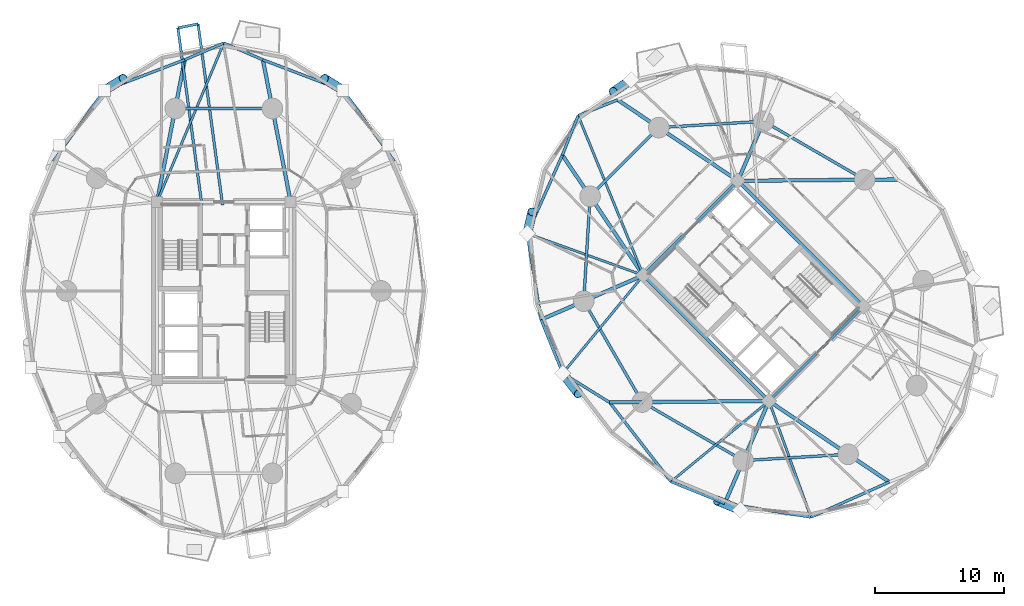
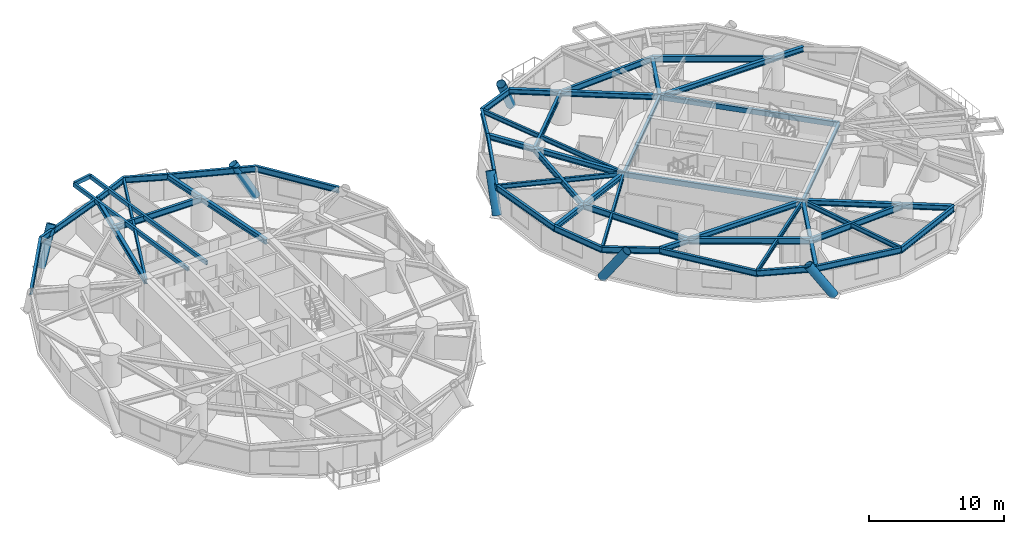
# One storey, part 5 of 19: 48 beams, 6 members.
"""IFC4 building model written with IfcOpenShell, lengths in metres."""

import ifcopenshell
import ifcopenshell.guid

model = None  # the IFC model being written
_history = None  # IfcOwnerHistory: only IFC2X3 demands one
_inside = {}  # id of a spatial element -> (the spatial element, [elements in it])
_under = {}  # id of a project, library or spatial element -> (it, [spatial elements below it])
_declared = {}  # id of a project -> (the project, [libraries it declares])
_typed = {}  # id of a type object -> (the type object, [elements of that type])
_made_of = {}  # id of a material, layer set ... -> (it, [elements and type objects made of it])


def new_model(schema):
    """Start an empty IFC model of exactly this schema.

    Asked for "IFC4X3", IfcOpenShell would pick the latest addendum, in which some entities
    have other attributes; the version numbers below select the first issue.
    IFC2X3 requires an IfcOwnerHistory on every rooted entity: one is made here for all.
    """
    global model, _history
    if schema == "IFC4X3":
        model = ifcopenshell.file(schema_version=(4, 3, 0, 0))
    else:
        model = ifcopenshell.file(schema=schema)
    _inside.clear()
    _under.clear()
    _declared.clear()
    _typed.clear()
    _made_of.clear()
    _history = None
    if model.schema == "IFC2X3":
        org = make("IfcOrganization", Name="unknown")
        user = make(
            "IfcPersonAndOrganization",
            ThePerson=make("IfcPerson", FamilyName="unknown"),
            TheOrganization=org,
        )
        app = make(
            "IfcApplication",
            ApplicationDeveloper=org,
            Version="unknown",
            ApplicationFullName="unknown",
            ApplicationIdentifier="unknown",
        )
        _history = make(
            "IfcOwnerHistory",
            OwningUser=user,
            OwningApplication=app,
            ChangeAction="ADDED",
            CreationDate=0,
        )
    return model


def make(cls, **values):
    """One entity of the class cls with the attributes given. An attribute that is None is left unset."""
    return model.create_entity(
        cls, **{name: value for name, value in values.items() if value is not None}
    )


def rooted(cls, **values):
    """An entity with a GlobalId (a new one), such as an element, a storey or a relation."""
    return make(cls, GlobalId=ifcopenshell.guid.new(), OwnerHistory=_history, **values)


def si_unit(unit_type, name, prefix=None):
    """IfcSIUnit, for example si_unit("LENGTHUNIT", "METRE", prefix="MILLI")."""
    return make("IfcSIUnit", UnitType=unit_type, Prefix=prefix, Name=name)


def assignment(units):
    """IfcUnitAssignment: the units of a project."""
    return None if units is None else make("IfcUnitAssignment", Units=units)


def point(xyz):
    """IfcCartesianPoint."""
    return None if xyz is None else make("IfcCartesianPoint", Coordinates=xyz)


def direction(xyz):
    """IfcDirection."""
    return None if xyz is None else make("IfcDirection", DirectionRatios=xyz)


def frame(location, z_axis=None, x_axis=None):
    """IfcAxis2Placement3D, a coordinate frame: its origin and axes. An axis left out is left unset."""
    return make(
        "IfcAxis2Placement3D",
        Location=point(location),
        Axis=direction(z_axis),
        RefDirection=direction(x_axis),
    )


def frame_2d(location, x_axis=None):
    """IfcAxis2Placement2D, a coordinate frame in the plane: its origin and x axis."""
    return make(
        "IfcAxis2Placement2D", Location=point(location), RefDirection=direction(x_axis)
    )


def origin():
    """The frame at (0, 0, 0) with its axes left unset."""
    return frame((0.0, 0.0, 0.0))


def origin_2d():
    """The frame at (0, 0) in the plane with its x axis left unset."""
    return frame_2d((0.0, 0.0))


def place(relative_to, where):
    """IfcLocalPlacement: puts the frame where relative to a parent placement (None: the world)."""
    return make(
        "IfcLocalPlacement", PlacementRelTo=relative_to, RelativePlacement=where
    )


def context(
    kind, dimensions, precision=None, world=None, true_north=None, identifier=None
):
    """IfcGeometricRepresentationContext, for example the 3D "Model" context."""
    return make(
        "IfcGeometricRepresentationContext",
        ContextIdentifier=identifier,
        ContextType=kind,
        CoordinateSpaceDimension=dimensions,
        Precision=precision,
        WorldCoordinateSystem=world,
        TrueNorth=true_north,
    )


def subcontext(parent, identifier, kind, view, scale=None):
    """IfcGeometricRepresentationSubContext, for example "Body" below "Model"."""
    return make(
        "IfcGeometricRepresentationSubContext",
        ContextIdentifier=identifier,
        ContextType=kind,
        ParentContext=parent,
        TargetScale=scale,
        TargetView=view,
    )


def project(units=None, contexts=None):
    """IfcProject with its units and contexts."""
    return rooted(
        "IfcProject",
        Name="project",
        RepresentationContexts=contexts,
        UnitsInContext=assignment(units),
    )


def spatial(cls, under=None, at=None, **own):
    """A site, building, storey or space (cls), placed at a placement, below another one or the project."""
    s = rooted(cls, ObjectPlacement=at, **own)
    if under is not None:
        _under.setdefault(under.id(), (under, []))[1].append(s)
    return s


def profile(cls, at=None, kind="AREA", **sizes):
    """A parametric profile (cls). Its sizes go by their IFC names, for example OverallWidth=200.0."""
    return make(cls, ProfileType=kind, Position=at, **sizes)


def hollow_rectangle(**sizes):
    """IfcRectangleHollowProfileDef."""
    return profile("IfcRectangleHollowProfileDef", **sizes)


def hollow_circle(**sizes):
    """IfcCircleHollowProfileDef."""
    return profile("IfcCircleHollowProfileDef", **sizes)


def i_section(**sizes):
    """IfcIShapeProfileDef."""
    return profile("IfcIShapeProfileDef", **sizes)


def extrude(swept, where, along, depth):
    """IfcExtrudedAreaSolid: the profile swept, set in the frame where, extruded along a direction by depth."""
    return make(
        "IfcExtrudedAreaSolid",
        SweptArea=swept,
        Position=where,
        ExtrudedDirection=direction(along),
        Depth=depth,
    )


def shape(context_of_items, identifier, shape_type, items):
    """IfcShapeRepresentation: the items that make up one representation, for example the "Body"."""
    return make(
        "IfcShapeRepresentation",
        ContextOfItems=context_of_items,
        RepresentationIdentifier=identifier,
        RepresentationType=shape_type,
        Items=items,
    )


def material(Name=None, Category=None):
    """IfcMaterial."""
    return make("IfcMaterial", Name=Name, Category=Category)


def material_profile(
    of_material, cross_section, Name=None, Category=None, Priority=None
):
    """IfcMaterialProfile: a cross section and its material."""
    return make(
        "IfcMaterialProfile",
        Name=Name,
        Material=of_material,
        Profile=cross_section,
        Priority=Priority,
        Category=Category,
    )


def profile_set(profiles, Name=None, composite=None):
    """IfcMaterialProfileSet."""
    return make(
        "IfcMaterialProfileSet",
        Name=Name,
        MaterialProfiles=profiles,
        CompositeProfile=composite,
    )


def made_of(thing, what):
    """Note that an element or type object is made of a material, layer set ...; save() writes the relation."""
    if what is not None:
        _made_of.setdefault(what.id(), (what, []))[1].append(thing)
    return thing


def type_object(cls, material=None, **own):
    """A type object (cls), such as IfcWallType, which elements share."""
    return made_of(rooted(cls, **own), material)


def element(
    cls,
    number,
    at=None,
    inside=None,
    cuts=None,
    type_object=None,
    material=None,
    context=None,
    identifier="Body",
    shape_type=None,
    held_by="IfcProductDefinitionShape",
    body=None,
    shapes=None,
    **own,
):
    """One element of the class cls, such as IfcWall. Its Tag is "e" and its number.

    at: its placement. inside: the storey or other place that contains it. cuts: it is an
    opening in that element (IfcRelVoidsElement). A single representation is given by context,
    identifier, shape_type and body (its items); several are given by shapes. held_by: the class
    of the entity that holds the representations. save() writes the other relations.
    """
    e = rooted(cls, Tag="e%d" % number, ObjectPlacement=at, **own)
    if body is not None:
        shapes = [shape(context, identifier, shape_type, body)]
    if shapes is not None:
        e.Representation = make(held_by, Representations=shapes)
    if inside is not None:
        _inside.setdefault(inside.id(), (inside, []))[1].append(e)
    if cuts is not None:
        rooted(
            "IfcRelVoidsElement", RelatingBuildingElement=cuts, RelatedOpeningElement=e
        )
    if type_object is not None:
        _typed.setdefault(type_object.id(), (type_object, []))[1].append(e)
    return made_of(e, material)


def aggregate(whole, parts):
    """IfcRelAggregates: a whole, such as a stair, and the parts it consists of."""
    return rooted("IfcRelAggregates", RelatingObject=whole, RelatedObjects=parts)


def save(model, path):
    """Write the relations noted so far, then the file.

    IfcRelAggregates (storeys below a building ...), IfcRelContainedInSpatialStructure (elements
    in a storey), IfcRelDefinesByType, IfcRelAssociatesMaterial and IfcRelDeclares: one each for
    every whole, place, type object, material and project.
    """
    for whole, parts in _under.values():
        aggregate(whole, parts)
    for where, things in _inside.values():
        rooted(
            "IfcRelContainedInSpatialStructure",
            RelatedElements=things,
            RelatingStructure=where,
        )
    for kind, things in _typed.values():
        rooted("IfcRelDefinesByType", RelatedObjects=things, RelatingType=kind)
    for what, things in _made_of.values():
        rooted("IfcRelAssociatesMaterial", RelatedObjects=things, RelatingMaterial=what)
    for by, libraries in _declared.values():
        rooted("IfcRelDeclares", RelatingContext=by, RelatedDefinitions=libraries)
    model.write(path)


model = new_model("IFC4")

# Units and contexts
model_context = context("Model", 3, precision=1e-05, world=origin(), true_north=direction((0.0, 1.0)))
body_context = subcontext(model_context, "Body", "Model", "MODEL_VIEW")
ifc_project = project(units=[si_unit("LENGTHUNIT", "METRE"), si_unit("AREAUNIT", "SQUARE_METRE"), si_unit("VOLUMEUNIT", "CUBIC_METRE"), si_unit("PLANEANGLEUNIT", "RADIAN"), si_unit("MASSUNIT", "GRAM", prefix="KILO")], contexts=[model_context])

# Site, building, storey
site_placement = place(None, origin())
site = spatial("IfcSite", under=ifc_project, at=site_placement, CompositionType="ELEMENT")
building_placement = place(site_placement, origin())
building = spatial("IfcBuilding", under=site, at=building_placement, Name="Cununo Teusaquillo Station Towers", CompositionType="ELEMENT")
storey_placement = place(building_placement, frame((0.0, 0.0, 30.72998046875)))
storey = spatial("IfcBuildingStorey", under=building, at=storey_placement, Name="L08", CompositionType="ELEMENT", Elevation=30.72998046875)

# Beams
ifc_material_1 = material(Name="Steel EN 10025-2 S355J2", Category="steel")
ifc_material_profile_1 = material_profile(ifc_material_1, hollow_rectangle(XDim=0.199951171875, YDim=0.35009765625, WallThickness=0.013916015625, at=origin_2d()), Name="RHS 350x200x14")
ifc_profile_set_1 = profile_set([ifc_material_profile_1], Name="Steel EN 10025-2 S355J2")
beam_type_1 = type_object("IfcBeamType", Name="BM-BAL-CANT", PredefinedType="BEAM", material=ifc_profile_set_1)
beam_1_placement = place(storey_placement, frame((16.40234375, 31.14990234375, 2.47509765625), z_axis=(-0.133963716843, 0.990986237326, 0.0), x_axis=(-0.990986237326, -0.133963716843, 0.0)))
element("IfcBeam", 1, at=beam_1_placement, inside=storey, type_object=beam_type_1, Name="L08 Tower A Balcony Cantilever Bracket 1A", PredefinedType="BEAM", context=body_context, shape_type="SweptSolid", body=[
    extrude(hollow_rectangle(XDim=0.199951171875, YDim=0.35009765625, WallThickness=0.013916015625, at=origin_2d()), origin(), (0.0, 0.0, 1.0), 14.14208984375),
])
beam_2_placement = place(storey_placement, frame((14.799560546875, 31.14990234375, 2.47509765625), z_axis=(-0.133965193427, 0.990986037717, 0.0), x_axis=(-0.990986037717, -0.133965193427, 0.0)))
element("IfcBeam", 2, at=beam_2_placement, inside=storey, type_object=beam_type_1, Name="L08 Tower A Balcony Cantilever Bracket 1B", PredefinedType="BEAM", context=body_context, shape_type="SweptSolid", body=[
    extrude(hollow_rectangle(XDim=0.199951171875, YDim=0.35009765625, WallThickness=0.013916015625, at=origin_2d()), origin(), (0.0, 0.0, 1.0), 13.837646484375),
])
ifc_material_2 = material(Name="Steel EN 10025-2 S355J2", Category="steel")
ifc_material_profile_2 = material_profile(ifc_material_2, hollow_rectangle(XDim=0.25, YDim=0.449951171875, WallThickness=0.01611328125, at=origin_2d()), Name="RHS 450x250x16")
ifc_profile_set_2 = profile_set([ifc_material_profile_2], Name="Steel EN 10025-2 S355J2")
beam_type_2 = type_object("IfcBeamType", Name="BM-COUP-1", PredefinedType="USERDEFINED", material=ifc_profile_set_2)
for number, where, z_axis, x_axis, name in (
    (3, (58.70556640625, 15.975830078125, 2.425048828125), (-0.707106781187, 0.707106781187, 0.0), (-0.707106781187, -0.707106781187, 0.0), "L08 Tower B Core Beam 1"),
    (4, (66.024169921875, 23.29443359375, 2.425048828125), (-0.707106781187, 0.707106781187, 0.0), (-0.707106781187, -0.707106781187, 0.0), "L08 Tower B Core Beam 2"),
):
    element("IfcBeam", number, at=place(storey_placement, frame(where, z_axis=z_axis, x_axis=x_axis)), inside=storey, type_object=beam_type_2, Name=name, ObjectType="COUPLING BEAM", PredefinedType="USERDEFINED", context=body_context, shape_type="SweptSolid", body=[
        extrude(hollow_rectangle(XDim=0.25, YDim=0.449951171875, WallThickness=0.01611328125, at=origin_2d()), origin(), (0.0, 0.0, 1.0), 13.760009765625),
    ])
ifc_material_3 = material(Name="Steel ASTM A572 Grade 50", Category="steel")
ifc_material_profile_3 = material_profile(ifc_material_3, i_section(OverallWidth=0.180908203125, OverallDepth=0.4169921875, WebThickness=0.010986328125, FlangeThickness=0.018310546875, FilletRadius=0.012939453125, at=origin_2d()), Name="W16X57")
ifc_profile_set_3 = profile_set([ifc_material_profile_3], Name="Steel ASTM A572 Grade 50")
beam_type_3 = type_object("IfcBeamType", Name="BM-JOIST-1", PredefinedType="JOIST", material=ifc_profile_set_3)
for number, where, z_axis, x_axis, name in (
    (5, (11.324951171875, 31.3798828125, 2.44140625), (0.387539558454, 0.92185307432, 0.0), (-0.92185307432, 0.387539558454, 0.0), "L08 Tower A Radial Spandrel Joist V05"),
    (6, (48.975830078125, 25.70556640625, 2.44140625), (-0.377815437796, 0.92588092915, 0.0), (-0.92588092915, -0.377815437796, 0.0), "L08 Tower B Radial Spandrel Joist V05"),
):
    element("IfcBeam", number, at=place(storey_placement, frame(where, z_axis=z_axis, x_axis=x_axis)), inside=storey, type_object=beam_type_3, Name=name, PredefinedType="JOIST", context=body_context, shape_type="SweptSolid", body=[
        extrude(i_section(OverallWidth=0.180908203125, OverallDepth=0.4169921875, WebThickness=0.010986328125, FlangeThickness=0.018310546875, FilletRadius=0.012939453125, at=origin_2d()), origin(), (0.0, 0.0, 1.0), 13.353515625),
    ])
beam_3_placement = place(storey_placement, frame((48.975830078125, 25.70556640625, 2.44140625), z_axis=(-0.940761914171, 0.33906787056, 0.0), x_axis=(-0.33906787056, -0.940761914171, 0.0)))
element("IfcBeam", 7, at=beam_3_placement, inside=storey, type_object=beam_type_3, Name="L08 Tower B Radial Spandrel Joist V07", PredefinedType="JOIST", context=body_context, shape_type="SweptSolid", body=[
    extrude(i_section(OverallWidth=0.180908203125, OverallDepth=0.4169921875, WebThickness=0.010986328125, FlangeThickness=0.018310546875, FilletRadius=0.012939453125, at=origin_2d()), origin(), (0.0, 0.0, 1.0), 9.552734375),
])
for number, where, z_axis, x_axis, name in (
    (8, (48.975830078125, 25.70556640625, 2.44140625), (-0.635389148475, -0.772192093976, 0.0), (0.772192093976, -0.635389148475, 0.0), "L08 Tower B Radial Spandrel Joist V09"),
    (9, (58.70556640625, 15.975830078125, 2.44140625), (-0.772192093976, -0.635389148475, 0.0), (0.635389148475, -0.772192093976, 0.0), "L08 Tower B Radial Spandrel Joist V11"),
):
    element("IfcBeam", number, at=place(storey_placement, frame(where, z_axis=z_axis, x_axis=x_axis)), inside=storey, type_object=beam_type_3, Name=name, PredefinedType="JOIST", context=body_context, shape_type="SweptSolid", body=[
        extrude(i_section(OverallWidth=0.180908203125, OverallDepth=0.4169921875, WebThickness=0.010986328125, FlangeThickness=0.018310546875, FilletRadius=0.012939453125, at=origin_2d()), origin(), (0.0, 0.0, 1.0), 9.82080078125),
    ])
beam_4_placement = place(storey_placement, frame((58.70556640625, 15.975830078125, 2.44140625), z_axis=(0.33906787056, -0.940761914171, 0.0), x_axis=(0.940761914171, 0.33906787056, 0.0)))
element("IfcBeam", 10, at=beam_4_placement, inside=storey, type_object=beam_type_3, Name="L08 Tower B Radial Spandrel Joist V13", PredefinedType="JOIST", context=body_context, shape_type="SweptSolid", body=[
    extrude(i_section(OverallWidth=0.180908203125, OverallDepth=0.4169921875, WebThickness=0.010986328125, FlangeThickness=0.018310546875, FilletRadius=0.012939453125, at=origin_2d()), origin(), (0.0, 0.0, 1.0), 9.552734375),
])
ifc_material_4 = material(Name="Steel ASTM A572 Grade 50", Category="steel")
ifc_material_profile_4 = material_profile(ifc_material_4, i_section(OverallWidth=0.2041015625, OverallDepth=0.35009765625, WebThickness=0.008544921875, FlangeThickness=0.01513671875, FilletRadius=0.011962890625, at=origin_2d()), Name="W14X48")
ifc_profile_set_4 = profile_set([ifc_material_profile_4], Name="Steel ASTM A572 Grade 50")
beam_type_4 = type_object("IfcBeamType", Name="BM-LINTEL-1", PredefinedType="LINTEL", material=ifc_profile_set_4)
for number, where, z_axis, x_axis, name in (
    (11, (58.70556640625, 15.975830078125, 2.47509765625), (0.707106781187, 0.707106781187, 0.0), (-0.707106781187, 0.707106781187, 0.0), "L08 Tower B Core Beam 3"),
    (12, (48.975830078125, 25.70556640625, 2.47509765625), (0.707106781187, 0.707106781187, 0.0), (-0.707106781187, 0.707106781187, 0.0), "L08 Tower B Core Beam 4"),
):
    element("IfcBeam", number, at=place(storey_placement, frame(where, z_axis=z_axis, x_axis=x_axis)), inside=storey, type_object=beam_type_4, Name=name, PredefinedType="LINTEL", context=body_context, shape_type="SweptSolid", body=[
        extrude(i_section(OverallWidth=0.2041015625, OverallDepth=0.35009765625, WebThickness=0.008544921875, FlangeThickness=0.01513671875, FilletRadius=0.011962890625, at=origin_2d()), origin(), (0.0, 0.0, 1.0), 10.35009765625),
    ])
ifc_material_5 = material(Name="Steel ASTM A572 Grade 50", Category="steel")
ifc_material_profile_5 = material_profile(ifc_material_5, i_section(OverallWidth=0.280029296875, OverallDepth=0.462890625, WebThickness=0.0107421875, FlangeThickness=0.017333984375, FilletRadius=0.013916015625, at=origin_2d()), Name="W18X76")
ifc_profile_set_5 = profile_set([ifc_material_profile_5], Name="Steel ASTM A572 Grade 50")
beam_type_5 = type_object("IfcBeamType", Name="BM-RAD-G1", PredefinedType="BEAM", material=ifc_profile_set_5)
for number, where, z_axis, x_axis, name in (
    (13, (21.675048828125, 31.3798828125, 2.41845703125), (-0.191549210283, 0.981483010571, 0.0), (-0.981483010571, -0.191549210283, 0.0), "L08 Tower A Continuous Overhanging Radial Girder 03"),
    (14, (11.324951171875, 31.3798828125, 2.41845703125), (0.191549210283, 0.981483010571, 0.0), (-0.981483010571, 0.191549210283, 0.0), "L08 Tower A Continuous Overhanging Radial Girder 04"),
):
    element("IfcBeam", number, at=place(storey_placement, frame(where, z_axis=z_axis, x_axis=x_axis)), inside=storey, type_object=beam_type_5, Name=name, PredefinedType="BEAM", context=body_context, shape_type="SweptSolid", body=[
        extrude(i_section(OverallWidth=0.280029296875, OverallDepth=0.462890625, WebThickness=0.0107421875, FlangeThickness=0.017333984375, FilletRadius=0.013916015625, at=origin_2d()), origin(), (0.0, 0.0, 1.0), 11.22119140625),
    ])
beam_5_placement = place(storey_placement, frame((56.29443359375, 33.024169921875, 2.41845703125), z_axis=(0.999964326722, 0.008446613668, 0.0), x_axis=(-0.008446613668, 0.999964326722, 0.0)))
element("IfcBeam", 15, at=beam_5_placement, inside=storey, type_object=beam_type_5, Name="L08 Tower B Continuous Overhanging Radial Girder 01", PredefinedType="BEAM", context=body_context, shape_type="SweptSolid", body=[
    extrude(i_section(OverallWidth=0.280029296875, OverallDepth=0.462890625, WebThickness=0.0107421875, FlangeThickness=0.017333984375, FilletRadius=0.013916015625, at=origin_2d()), origin(), (0.0, 0.0, 1.0), 12.342041015625),
])
beam_6_placement = place(storey_placement, frame((56.29443359375, 33.024169921875, 2.41845703125), z_axis=(0.397346986387, 0.917668443616, 0.0), x_axis=(-0.917668443616, 0.397346986387, 0.0)))
element("IfcBeam", 16, at=beam_6_placement, inside=storey, type_object=beam_type_5, Name="L08 Tower B Radial Girder 02A", PredefinedType="BEAM", context=body_context, shape_type="SweptSolid", body=[
    extrude(i_section(OverallWidth=0.280029296875, OverallDepth=0.462890625, WebThickness=0.0107421875, FlangeThickness=0.017333984375, FilletRadius=0.013916015625, at=origin_2d()), origin(), (0.0, 0.0, 1.0), 5.02490234375),
])
for number, where, z_axis, x_axis, name in (
    (17, (56.29443359375, 33.024169921875, 2.41845703125), (-0.829460584667, 0.558565249978, 0.0), (-0.558565249978, -0.829460584667, 0.0), "L08 Tower B Continuous Overhanging Radial Girder 03"),
    (18, (48.975830078125, 25.70556640625, 2.41845703125), (-0.558565249978, 0.829460584667, 0.0), (-0.829460584667, -0.558565249978, 0.0), "L08 Tower B Continuous Overhanging Radial Girder 04"),
):
    element("IfcBeam", number, at=place(storey_placement, frame(where, z_axis=z_axis, x_axis=x_axis)), inside=storey, type_object=beam_type_5, Name=name, PredefinedType="BEAM", context=body_context, shape_type="SweptSolid", body=[
        extrude(i_section(OverallWidth=0.280029296875, OverallDepth=0.462890625, WebThickness=0.0107421875, FlangeThickness=0.017333984375, FilletRadius=0.013916015625, at=origin_2d()), origin(), (0.0, 0.0, 1.0), 11.22119140625),
    ])
beam_7_placement = place(storey_placement, frame((48.975830078125, 25.70556640625, 2.41845703125), z_axis=(-0.91765947108, -0.397367707718, 0.0), x_axis=(0.397367707718, -0.91765947108, 0.0)))
element("IfcBeam", 19, at=beam_7_placement, inside=storey, type_object=beam_type_5, Name="L08 Tower B Continuous Overhanging Radial Girder 05", PredefinedType="BEAM", context=body_context, shape_type="SweptSolid", body=[
    extrude(i_section(OverallWidth=0.280029296875, OverallDepth=0.462890625, WebThickness=0.0107421875, FlangeThickness=0.017333984375, FilletRadius=0.013916015625, at=origin_2d()), origin(), (0.0, 0.0, 1.0), 8.631591796875),
])
beam_8_placement = place(storey_placement, frame((58.70556640625, 15.975830078125, 2.41845703125), z_axis=(-0.999964431382, -0.008434214327, 0.0), x_axis=(0.008434214327, -0.999964431382, 0.0)))
element("IfcBeam", 20, at=beam_8_placement, inside=storey, type_object=beam_type_5, Name="L08 Tower B Radial Girder 06A", PredefinedType="BEAM", context=body_context, shape_type="SweptSolid", body=[
    extrude(i_section(OverallWidth=0.280029296875, OverallDepth=0.462890625, WebThickness=0.0107421875, FlangeThickness=0.017333984375, FilletRadius=0.013916015625, at=origin_2d()), origin(), (0.0, 0.0, 1.0), 9.812744140625),
])
beam_9_placement = place(storey_placement, frame((48.89306640625, 15.89306640625, 2.41845703125), z_axis=(-0.999963919198, -0.00849472197, 0.0), x_axis=(0.00849472197, -0.999963919198, 0.0)))
element("IfcBeam", 21, at=beam_9_placement, inside=storey, type_object=beam_type_5, Name="L08 Tower B Perimeter Overhang Girder 06B", PredefinedType="BEAM", context=body_context, shape_type="SweptSolid", body=[
    extrude(i_section(OverallWidth=0.280029296875, OverallDepth=0.462890625, WebThickness=0.0107421875, FlangeThickness=0.017333984375, FilletRadius=0.013916015625, at=origin_2d()), origin(), (0.0, 0.0, 1.0), 2.529052734375),
])
beam_10_placement = place(storey_placement, frame((58.70556640625, 15.975830078125, 2.41845703125), z_axis=(-0.397367707718, -0.91765947108, 0.0), x_axis=(0.91765947108, -0.397367707718, 0.0)))
element("IfcBeam", 22, at=beam_10_placement, inside=storey, type_object=beam_type_5, Name="L08 Tower B Continuous Overhanging Radial Girder 07", PredefinedType="BEAM", context=body_context, shape_type="SweptSolid", body=[
    extrude(i_section(OverallWidth=0.280029296875, OverallDepth=0.462890625, WebThickness=0.0107421875, FlangeThickness=0.017333984375, FilletRadius=0.013916015625, at=origin_2d()), origin(), (0.0, 0.0, 1.0), 8.631591796875),
])
beam_11_placement = place(storey_placement, frame((58.70556640625, 15.975830078125, 2.41845703125), z_axis=(0.829460584667, -0.558565249978, 0.0), x_axis=(0.558565249978, 0.829460584667, 0.0)))
element("IfcBeam", 23, at=beam_11_placement, inside=storey, type_object=beam_type_5, Name="L08 Tower B Continuous Overhanging Radial Girder 08", PredefinedType="BEAM", context=body_context, shape_type="SweptSolid", body=[
    extrude(i_section(OverallWidth=0.280029296875, OverallDepth=0.462890625, WebThickness=0.0107421875, FlangeThickness=0.017333984375, FilletRadius=0.013916015625, at=origin_2d()), origin(), (0.0, 0.0, 1.0), 11.22119140625),
])
ifc_material_6 = material(Name="Steel ASTM A572 Grade 50", Category="steel")
ifc_material_profile_6 = material_profile(ifc_material_6, i_section(OverallWidth=0.214111328125, OverallDepth=0.549072265625, WebThickness=0.0146484375, FlangeThickness=0.023681640625, FilletRadius=0.014892578125, at=origin_2d()), Name="W21X93")
ifc_profile_set_6 = profile_set([ifc_material_profile_6], Name="Steel ASTM A572 Grade 50")
beam_type_6 = type_object("IfcBeamType", Name="BM-RING-Z1", PredefinedType="SPANDREL", material=ifc_profile_set_6)
beam_12_placement = place(storey_placement, frame((20.261474609375, 38.623291015625, 2.37548828125), z_axis=(-1.0, 0.0, 0.0), x_axis=(0.0, -1.0, 0.0)))
element("IfcBeam", 24, at=beam_12_placement, inside=storey, type_object=beam_type_6, Name="L08 Tower A Structural Column Ring Girder 03", PredefinedType="SPANDREL", context=body_context, shape_type="SweptSolid", body=[
    extrude(i_section(OverallWidth=0.214111328125, OverallDepth=0.549072265625, WebThickness=0.0146484375, FlangeThickness=0.023681640625, FilletRadius=0.014892578125, at=origin_2d()), origin(), (0.0, 0.0, 1.0), 7.52294921875),
])
beam_13_placement = place(storey_placement, frame((29.701171875, 34.555419921875, 2.37548828125), z_axis=(-0.586607937648, 0.809871056087, 0.0), x_axis=(-0.809871056087, -0.586607937648, 0.0)))
element("IfcBeam", 25, at=beam_13_placement, inside=storey, type_object=beam_type_6, Name="L08 Tower A Spandrel Ring Beam 03", PredefinedType="SPANDREL", context=body_context, shape_type="SweptSolid", body=[
    extrude(i_section(OverallWidth=0.214111328125, OverallDepth=0.549072265625, WebThickness=0.0146484375, FlangeThickness=0.023681640625, FilletRadius=0.014892578125, at=origin_2d()), origin(), (0.0, 0.0, 1.0), 6.75341796875),
])
beam_14_placement = place(storey_placement, frame((25.739501953125, 40.02490234375, 2.37548828125), z_axis=(-0.934426653529, 0.356155624937, 0.0), x_axis=(-0.356155624937, -0.934426653529, 0.0)))
element("IfcBeam", 26, at=beam_14_placement, inside=storey, type_object=beam_type_6, Name="L08 Tower A Spandrel Ring Beam 04", PredefinedType="SPANDREL", context=body_context, shape_type="SweptSolid", body=[
    extrude(i_section(OverallWidth=0.214111328125, OverallDepth=0.549072265625, WebThickness=0.0146484375, FlangeThickness=0.023681640625, FilletRadius=0.014892578125, at=origin_2d()), origin(), (0.0, 0.0, 1.0), 6.64990234375),
])
for number, where, z_axis, x_axis, name in (
    (27, (19.525634765625, 42.393310546875, 2.37548828125), (-0.919152702301, 0.393901396104, 0.0), (-0.393901396104, -0.919152702301, 0.0), "L08 Tower A Spandrel Ring Beam 05"),
    (28, (16.5, 43.68994140625, 2.37548828125), (-0.919152702301, -0.393901396104, 0.0), (0.393901396104, -0.919152702301, 0.0), "L08 Tower A Spandrel Ring Beam 06"),
):
    element("IfcBeam", number, at=place(storey_placement, frame(where, z_axis=z_axis, x_axis=x_axis)), inside=storey, type_object=beam_type_6, Name=name, PredefinedType="SPANDREL", context=body_context, shape_type="SweptSolid", body=[
        extrude(i_section(OverallWidth=0.214111328125, OverallDepth=0.549072265625, WebThickness=0.0146484375, FlangeThickness=0.023681640625, FilletRadius=0.014892578125, at=origin_2d()), origin(), (0.0, 0.0, 1.0), 3.291748046875),
    ])
beam_15_placement = place(storey_placement, frame((13.474365234375, 42.393310546875, 2.37548828125), z_axis=(-0.934426653529, -0.356155624937, 0.0), x_axis=(0.356155624937, -0.934426653529, 0.0)))
element("IfcBeam", 29, at=beam_15_placement, inside=storey, type_object=beam_type_6, Name="L08 Tower A Spandrel Ring Beam 07", PredefinedType="SPANDREL", context=body_context, shape_type="SweptSolid", body=[
    extrude(i_section(OverallWidth=0.214111328125, OverallDepth=0.549072265625, WebThickness=0.0146484375, FlangeThickness=0.023681640625, FilletRadius=0.014892578125, at=origin_2d()), origin(), (0.0, 0.0, 1.0), 6.64990234375),
])
beam_16_placement = place(storey_placement, frame((7.260498046875, 40.02490234375, 2.37548828125), z_axis=(-0.586607937648, -0.809871056087, 0.0), x_axis=(0.809871056087, -0.586607937648, 0.0)))
element("IfcBeam", 30, at=beam_16_placement, inside=storey, type_object=beam_type_6, Name="L08 Tower A Spandrel Ring Beam 08", PredefinedType="SPANDREL", context=body_context, shape_type="SweptSolid", body=[
    extrude(i_section(OverallWidth=0.214111328125, OverallDepth=0.549072265625, WebThickness=0.0146484375, FlangeThickness=0.023681640625, FilletRadius=0.014892578125, at=origin_2d()), origin(), (0.0, 0.0, 1.0), 6.75341796875),
])
beam_17_placement = place(storey_placement, frame((66.10693359375, 33.10693359375, 2.37548828125), z_axis=(-0.865267103202, 0.501311121078, 0.0), x_axis=(-0.501311121078, -0.865267103202, 0.0)))
element("IfcBeam", 31, at=beam_17_placement, inside=storey, type_object=beam_type_6, Name="L08 Tower B Structural Column Ring Girder 01", PredefinedType="SPANDREL", context=body_context, shape_type="SweptSolid", body=[
    extrude(i_section(OverallWidth=0.214111328125, OverallDepth=0.549072265625, WebThickness=0.0146484375, FlangeThickness=0.023681640625, FilletRadius=0.014892578125, at=origin_2d()), origin(), (0.0, 0.0, 1.0), 9.032958984375),
])
beam_18_placement = place(storey_placement, frame((58.291015625, 37.63525390625, 2.37548828125), z_axis=(-0.998190567048, -0.06012979176, 0.0), x_axis=(0.06012979176, -0.998190567048, 0.0)))
element("IfcBeam", 32, at=beam_18_placement, inside=storey, type_object=beam_type_6, Name="L08 Tower B Structural Column Ring Girder 02", PredefinedType="SPANDREL", context=body_context, shape_type="SweptSolid", body=[
    extrude(i_section(OverallWidth=0.214111328125, OverallDepth=0.549072265625, WebThickness=0.0146484375, FlangeThickness=0.023681640625, FilletRadius=0.014892578125, at=origin_2d()), origin(), (0.0, 0.0, 1.0), 8.132568359375),
])
beam_19_placement = place(storey_placement, frame((50.173095703125, 37.146240234375, 2.37548828125), z_axis=(-0.707106781187, -0.707106781187, 0.0), x_axis=(0.707106781187, -0.707106781187, 0.0)))
element("IfcBeam", 33, at=beam_19_placement, inside=storey, type_object=beam_type_6, Name="L08 Tower B Structural Column Ring Girder 03", PredefinedType="SPANDREL", context=body_context, shape_type="SweptSolid", body=[
    extrude(i_section(OverallWidth=0.214111328125, OverallDepth=0.549072265625, WebThickness=0.0146484375, FlangeThickness=0.023681640625, FilletRadius=0.014892578125, at=origin_2d()), origin(), (0.0, 0.0, 1.0), 7.522705078125),
])
beam_20_placement = place(storey_placement, frame((44.853759765625, 31.826904296875, 2.37548828125), z_axis=(-0.06012979176, -0.998190567048, 0.0), x_axis=(0.998190567048, -0.06012979176, 0.0)))
element("IfcBeam", 34, at=beam_20_placement, inside=storey, type_object=beam_type_6, Name="L08 Tower B Structural Column Ring Girder 04", PredefinedType="SPANDREL", context=body_context, shape_type="SweptSolid", body=[
    extrude(i_section(OverallWidth=0.214111328125, OverallDepth=0.549072265625, WebThickness=0.0146484375, FlangeThickness=0.023681640625, FilletRadius=0.014892578125, at=origin_2d()), origin(), (0.0, 0.0, 1.0), 8.132568359375),
])
for number, where, z_axis, x_axis, name in (
    (35, (44.36474609375, 23.708984375, 2.37548828125), (0.501311121078, -0.865267103202, 0.0), (0.865267103202, 0.501311121078, 0.0), "L08 Tower B Structural Column Ring Girder 05"),
    (36, (48.89306640625, 15.89306640625, 2.37548828125), (0.865267103202, -0.501311121078, 0.0), (0.501311121078, 0.865267103202, 0.0), "L08 Tower B Structural Column Ring Girder 06"),
):
    element("IfcBeam", number, at=place(storey_placement, frame(where, z_axis=z_axis, x_axis=x_axis)), inside=storey, type_object=beam_type_6, Name=name, PredefinedType="SPANDREL", context=body_context, shape_type="SweptSolid", body=[
        extrude(i_section(OverallWidth=0.214111328125, OverallDepth=0.549072265625, WebThickness=0.0146484375, FlangeThickness=0.023681640625, FilletRadius=0.014892578125, at=origin_2d()), origin(), (0.0, 0.0, 1.0), 9.032958984375),
    ])
beam_21_placement = place(storey_placement, frame((56.708984375, 11.36474609375, 2.37548828125), z_axis=(0.998190567048, 0.06012979176, 0.0), x_axis=(-0.06012979176, 0.998190567048, 0.0)))
element("IfcBeam", 37, at=beam_21_placement, inside=storey, type_object=beam_type_6, Name="L08 Tower B Structural Column Ring Girder 07", PredefinedType="SPANDREL", context=body_context, shape_type="SweptSolid", body=[
    extrude(i_section(OverallWidth=0.214111328125, OverallDepth=0.549072265625, WebThickness=0.0146484375, FlangeThickness=0.023681640625, FilletRadius=0.014892578125, at=origin_2d()), origin(), (0.0, 0.0, 1.0), 8.132568359375),
])
for number, where, z_axis, x_axis, name in (
    (38, (46.98681640625, 39.2919921875, 2.37548828125), (-0.928456228871, -0.371441827304, 0.0), (0.371441827304, -0.928456228871, 0.0), "L08 Tower B Spandrel Ring Beam 05"),
    (39, (43.9306640625, 38.0693359375, 2.37548828125), (-0.371441827304, -0.928456228871, 0.0), (0.928456228871, -0.371441827304, 0.0), "L08 Tower B Spandrel Ring Beam 06"),
):
    element("IfcBeam", number, at=place(storey_placement, frame(where, z_axis=z_axis, x_axis=x_axis)), inside=storey, type_object=beam_type_6, Name=name, PredefinedType="SPANDREL", context=body_context, shape_type="SweptSolid", body=[
        extrude(i_section(OverallWidth=0.214111328125, OverallDepth=0.549072265625, WebThickness=0.0146484375, FlangeThickness=0.023681640625, FilletRadius=0.014892578125, at=origin_2d()), origin(), (0.0, 0.0, 1.0), 3.291748046875),
    ])
beam_22_placement = place(storey_placement, frame((42.7080078125, 35.01318359375, 2.37548828125), z_axis=(-0.408878798951, -0.912588695836, 0.0), x_axis=(0.912588695836, -0.408878798951, 0.0)))
element("IfcBeam", 40, at=beam_22_placement, inside=storey, type_object=beam_type_6, Name="L08 Tower B Spandrel Ring Beam 07", PredefinedType="SPANDREL", context=body_context, shape_type="SweptSolid", body=[
    extrude(i_section(OverallWidth=0.214111328125, OverallDepth=0.549072265625, WebThickness=0.0146484375, FlangeThickness=0.023681640625, FilletRadius=0.014892578125, at=origin_2d()), origin(), (0.0, 0.0, 1.0), 6.64990234375),
])
beam_23_placement = place(storey_placement, frame((39.989013671875, 28.944580078125, 2.37548828125), z_axis=(0.157829770834, -0.987466335344, 0.0), x_axis=(0.987466335344, 0.157829770834, 0.0)))
element("IfcBeam", 41, at=beam_23_placement, inside=storey, type_object=beam_type_6, Name="L08 Tower B Spandrel Ring Beam 08", PredefinedType="SPANDREL", context=body_context, shape_type="SweptSolid", body=[
    extrude(i_section(OverallWidth=0.214111328125, OverallDepth=0.549072265625, WebThickness=0.0146484375, FlangeThickness=0.023681640625, FilletRadius=0.014892578125, at=origin_2d()), origin(), (0.0, 0.0, 1.0), 6.753662109375),
])
beam_24_placement = place(storey_placement, frame((41.054931640625, 22.275634765625, 2.37548828125), z_axis=(0.375135909025, -0.926969821386, 0.0), x_axis=(0.926969821386, 0.375135909025, 0.0)))
element("IfcBeam", 42, at=beam_24_placement, inside=storey, type_object=beam_type_6, Name="L08 Tower B Spandrel Ring Beam 09", PredefinedType="SPANDREL", context=body_context, shape_type="SweptSolid", body=[
    extrude(i_section(OverallWidth=0.214111328125, OverallDepth=0.549072265625, WebThickness=0.0146484375, FlangeThickness=0.023681640625, FilletRadius=0.014892578125, at=origin_2d()), origin(), (0.0, 0.0, 1.0), 4.480712890625),
])
beam_25_placement = place(storey_placement, frame((42.73583984375, 18.1220703125, 2.37548828125), z_axis=(0.849795627585, -0.527112313779, 0.0), x_axis=(0.527112313779, 0.849795627585, 0.0)))
element("IfcBeam", 43, at=beam_25_placement, inside=storey, type_object=beam_type_6, Name="L08 Tower B Spandrel Ring Beam 10", PredefinedType="SPANDREL", context=body_context, shape_type="SweptSolid", body=[
    extrude(i_section(OverallWidth=0.214111328125, OverallDepth=0.549072265625, WebThickness=0.0146484375, FlangeThickness=0.023681640625, FilletRadius=0.014892578125, at=origin_2d()), origin(), (0.0, 0.0, 1.0), 4.26953125),
])
beam_26_placement = place(storey_placement, frame((46.364013671875, 15.87158203125, 2.37548828125), z_axis=(0.612801480015, -0.790236892388, 0.0), x_axis=(0.790236892388, 0.612801480015, 0.0)))
element("IfcBeam", 44, at=beam_26_placement, inside=storey, type_object=beam_type_6, Name="L08 Tower B Spandrel Ring Beam 11", PredefinedType="SPANDREL", context=body_context, shape_type="SweptSolid", body=[
    extrude(i_section(OverallWidth=0.214111328125, OverallDepth=0.549072265625, WebThickness=0.0146484375, FlangeThickness=0.023681640625, FilletRadius=0.014892578125, at=origin_2d()), origin(), (0.0, 0.0, 1.0), 7.764404296875),
])
beam_27_placement = place(storey_placement, frame((51.1220703125, 9.73583984375, 2.37548828125), z_axis=(0.926969821386, -0.375135909025, 0.0), x_axis=(0.375135909025, 0.926969821386, 0.0)))
element("IfcBeam", 45, at=beam_27_placement, inside=storey, type_object=beam_type_6, Name="L08 Tower B Spandrel Ring Beam 12", PredefinedType="SPANDREL", context=body_context, shape_type="SweptSolid", body=[
    extrude(i_section(OverallWidth=0.214111328125, OverallDepth=0.549072265625, WebThickness=0.0146484375, FlangeThickness=0.023681640625, FilletRadius=0.014892578125, at=origin_2d()), origin(), (0.0, 0.0, 1.0), 4.480712890625),
])
beam_28_placement = place(storey_placement, frame((55.275634765625, 8.054931640625, 2.37548828125), z_axis=(0.987466335344, -0.157829770834, 0.0), x_axis=(0.157829770834, 0.987466335344, 0.0)))
element("IfcBeam", 46, at=beam_28_placement, inside=storey, type_object=beam_type_6, Name="L08 Tower B Spandrel Ring Beam 13", PredefinedType="SPANDREL", context=body_context, shape_type="SweptSolid", body=[
    extrude(i_section(OverallWidth=0.214111328125, OverallDepth=0.549072265625, WebThickness=0.0146484375, FlangeThickness=0.023681640625, FilletRadius=0.014892578125, at=origin_2d()), origin(), (0.0, 0.0, 1.0), 6.753662109375),
])
beam_29_placement = place(storey_placement, frame((61.944580078125, 6.989013671875, 2.37548828125), z_axis=(0.912588695836, 0.408878798951, 0.0), x_axis=(-0.408878798951, 0.912588695836, 0.0)))
element("IfcBeam", 47, at=beam_29_placement, inside=storey, type_object=beam_type_6, Name="L08 Tower B Spandrel Ring Beam 14", PredefinedType="SPANDREL", context=body_context, shape_type="SweptSolid", body=[
    extrude(i_section(OverallWidth=0.214111328125, OverallDepth=0.549072265625, WebThickness=0.0146484375, FlangeThickness=0.023681640625, FilletRadius=0.014892578125, at=origin_2d()), origin(), (0.0, 0.0, 1.0), 6.64990234375),
])
ifc_material_7 = material(Name="Steel EN 10025-2 S355J2", Category="steel")
ifc_material_profile_7 = material_profile(ifc_material_7, hollow_rectangle(XDim=0.199951171875, YDim=0.35009765625, WallThickness=0.013916015625, at=origin_2d()), Name="RHS 350x200x14")
ifc_profile_set_7 = profile_set([ifc_material_profile_7], Name="Steel EN 10025-2 S355J2")
beam_type_7 = type_object("IfcBeamType", Name="BM-STAIR-TRIM", PredefinedType="BEAM", material=ifc_profile_set_7)
beam_30_placement = place(storey_placement, frame((14.5078125, 45.16455078125, 2.52490234375), z_axis=(-0.981846285306, -0.18967833833, 0.0), x_axis=(0.18967833833, -0.981846285306, 0.0)))
element("IfcBeam", 48, at=beam_30_placement, inside=storey, type_object=beam_type_7, Name="L08 Tower A Balcony Edge Trimmer Beam 1", PredefinedType="BEAM", context=body_context, shape_type="SweptSolid", body=[
    extrude(hollow_rectangle(XDim=0.199951171875, YDim=0.35009765625, WallThickness=0.013916015625, at=origin_2d()), origin(), (0.0, 0.0, 1.0), 1.5908203125),
])

# Members
ifc_material_8 = material(Name="Steel EN 10025-2 S355J2", Category="steel")
ifc_material_profile_8 = material_profile(ifc_material_8, hollow_circle(Radius=0.360107421875, WallThickness=0.028076171875, at=origin_2d()), Name="CHS 720x28")
ifc_profile_set_8 = profile_set([ifc_material_profile_8], Name="Steel EN 10025-2 S355J2")
member_type = type_object("IfcMemberType", Name="MBR-DIAG-Z1", PredefinedType="BRACE", material=ifc_profile_set_8)
for number, where, z_axis, x_axis, name in (
    (49, (25.739501953125, 40.02490234375, -0.139892578125), (-0.432109885705, 0.26881380488, 0.86082529295), (-0.528224584169, -0.849104698303, 0.0), "L08 Tower A Folded-Zigzag Diagrid Tube C03"),
    (50, (7.260498046875, 40.02490234375, -0.139892578125), (0.432109885705, 0.26881380488, 0.86082529295), (-0.528224584169, 0.849104698303, 0.0), "L08 Tower A Folded-Zigzag Diagrid Tube C06"),
):
    element("IfcMember", number, at=place(storey_placement, frame(where, z_axis=z_axis, x_axis=x_axis)), inside=storey, type_object=member_type, Name=name, PredefinedType="BRACE", context=body_context, shape_type="SweptSolid", body=[
        extrude(hollow_circle(Radius=0.360107421875, WallThickness=0.028076171875, at=origin_2d()), origin(), (0.0, 0.0, 1.0), 3.38037109375),
    ])
member_1_placement = place(storey_placement, frame((48.029296875, 40.840087890625, -0.139892578125), z_axis=(-0.408468387245, -0.276132221041, 0.870002628229), x_axis=(0.560052437376, -0.828457160866, 0.0)))
element("IfcMember", 51, at=member_1_placement, inside=storey, type_object=member_type, Name="L08 Tower B Folded-Zigzag Diagrid Tube C04", PredefinedType="BRACE", context=body_context, shape_type="SweptSolid", body=[
    extrude(hollow_circle(Radius=0.360107421875, WallThickness=0.028076171875, at=origin_2d()), origin(), (0.0, 0.0, 1.0), 3.3447265625),
])
member_2_placement = place(storey_placement, frame((39.989013671875, 28.944580078125, -0.139892578125), z_axis=(0.115486215866, 0.495601259082, 0.860838153163), x_axis=(-0.97390816807, 0.226942460033, 0.0)))
element("IfcMember", 52, at=member_2_placement, inside=storey, type_object=member_type, Name="L08 Tower B Folded-Zigzag Diagrid Tube C06", PredefinedType="BRACE", context=body_context, shape_type="SweptSolid", body=[
    extrude(hollow_circle(Radius=0.360107421875, WallThickness=0.028076171875, at=origin_2d()), origin(), (0.0, 0.0, 1.0), 3.38037109375),
])
member_3_placement = place(storey_placement, frame((42.73583984375, 18.1220703125, -0.139892578125), z_axis=(0.344855632281, -0.447647806896, 0.825036989392), x_axis=(0.792186622165, 0.610278916286, 0.0)))
element("IfcMember", 53, at=member_3_placement, inside=storey, type_object=member_type, Name="L08 Tower B Folded-Zigzag Diagrid Tube C09", PredefinedType="BRACE", context=body_context, shape_type="SweptSolid", body=[
    extrude(hollow_circle(Radius=0.360107421875, WallThickness=0.028076171875, at=origin_2d()), origin(), (0.0, 0.0, 1.0), 3.527099609375),
])
member_4_placement = place(storey_placement, frame((56.483642578125, 7.531982421875, -0.139892578125), z_axis=(-0.51162667088, 0.210312111022, 0.833070804675), x_axis=(-0.380196848385, -0.924905593279, 0.0)))
element("IfcMember", 54, at=member_4_placement, inside=storey, type_object=member_type, Name="L08 Tower B Folded-Zigzag Diagrid Tube C11", PredefinedType="BRACE", context=body_context, shape_type="SweptSolid", body=[
    extrude(hollow_circle(Radius=0.360107421875, WallThickness=0.028076171875, at=origin_2d()), origin(), (0.0, 0.0, 1.0), 3.492919921875),
])

save(model, "model.ifc")
